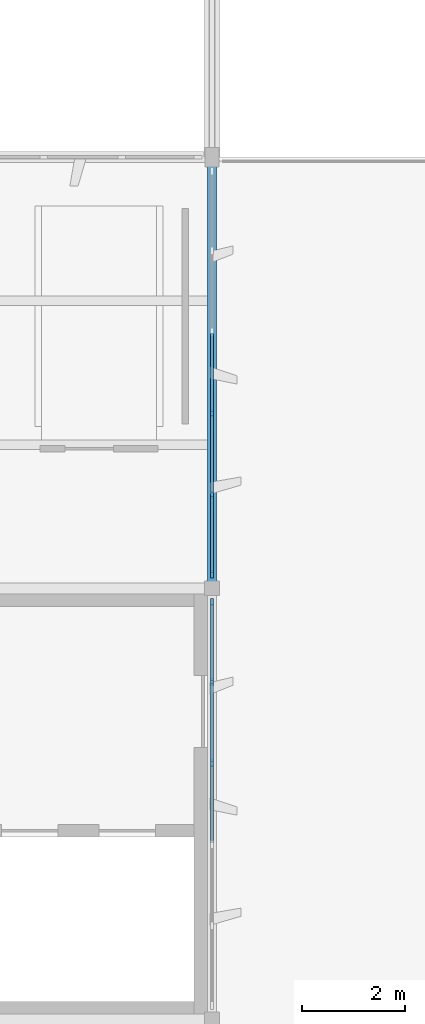
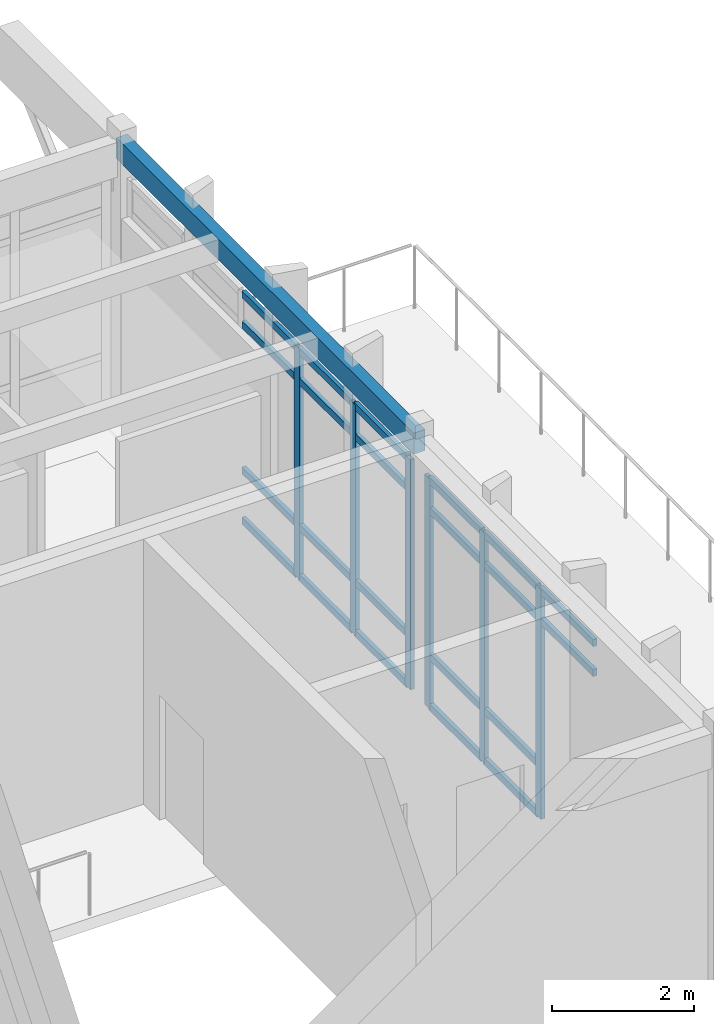
# One storey, part 7 of 19: 28 members, 1 beam, 2 elements without a shape of their own.
"""IFC4 building model written with IfcOpenShell, lengths in metres."""

import ifcopenshell
import ifcopenshell.guid

model = None  # the IFC model being written
_history = None  # IfcOwnerHistory: only IFC2X3 demands one
_inside = {}  # id of a spatial element -> (the spatial element, [elements in it])
_under = {}  # id of a project, library or spatial element -> (it, [spatial elements below it])
_declared = {}  # id of a project -> (the project, [libraries it declares])
_typed = {}  # id of a type object -> (the type object, [elements of that type])
_made_of = {}  # id of a material, layer set ... -> (it, [elements and type objects made of it])


def new_model(schema):
    """Start an empty IFC model of exactly this schema.

    Asked for "IFC4X3", IfcOpenShell would pick the latest addendum, in which some entities
    have other attributes; the version numbers below select the first issue.
    IFC2X3 requires an IfcOwnerHistory on every rooted entity: one is made here for all.
    """
    global model, _history
    if schema == "IFC4X3":
        model = ifcopenshell.file(schema_version=(4, 3, 0, 0))
    else:
        model = ifcopenshell.file(schema=schema)
    _inside.clear()
    _under.clear()
    _declared.clear()
    _typed.clear()
    _made_of.clear()
    _history = None
    if model.schema == "IFC2X3":
        org = make("IfcOrganization", Name="unknown")
        user = make(
            "IfcPersonAndOrganization",
            ThePerson=make("IfcPerson", FamilyName="unknown"),
            TheOrganization=org,
        )
        app = make(
            "IfcApplication",
            ApplicationDeveloper=org,
            Version="unknown",
            ApplicationFullName="unknown",
            ApplicationIdentifier="unknown",
        )
        _history = make(
            "IfcOwnerHistory",
            OwningUser=user,
            OwningApplication=app,
            ChangeAction="ADDED",
            CreationDate=0,
        )
    return model


def make(cls, **values):
    """One entity of the class cls with the attributes given. An attribute that is None is left unset."""
    return model.create_entity(
        cls, **{name: value for name, value in values.items() if value is not None}
    )


def rooted(cls, **values):
    """An entity with a GlobalId (a new one), such as an element, a storey or a relation."""
    return make(cls, GlobalId=ifcopenshell.guid.new(), OwnerHistory=_history, **values)


def si_unit(unit_type, name, prefix=None):
    """IfcSIUnit, for example si_unit("LENGTHUNIT", "METRE", prefix="MILLI")."""
    return make("IfcSIUnit", UnitType=unit_type, Prefix=prefix, Name=name)


def assignment(units):
    """IfcUnitAssignment: the units of a project."""
    return None if units is None else make("IfcUnitAssignment", Units=units)


def point(xyz):
    """IfcCartesianPoint."""
    return None if xyz is None else make("IfcCartesianPoint", Coordinates=xyz)


def direction(xyz):
    """IfcDirection."""
    return None if xyz is None else make("IfcDirection", DirectionRatios=xyz)


def frame(location, z_axis=None, x_axis=None):
    """IfcAxis2Placement3D, a coordinate frame: its origin and axes. An axis left out is left unset."""
    return make(
        "IfcAxis2Placement3D",
        Location=point(location),
        Axis=direction(z_axis),
        RefDirection=direction(x_axis),
    )


def frame_2d(location, x_axis=None):
    """IfcAxis2Placement2D, a coordinate frame in the plane: its origin and x axis."""
    return make(
        "IfcAxis2Placement2D", Location=point(location), RefDirection=direction(x_axis)
    )


def origin():
    """The frame at (0, 0, 0) with its axes left unset."""
    return frame((0.0, 0.0, 0.0))


def origin_2d():
    """The frame at (0, 0) in the plane with its x axis left unset."""
    return frame_2d((0.0, 0.0))


def place(relative_to, where):
    """IfcLocalPlacement: puts the frame where relative to a parent placement (None: the world)."""
    return make(
        "IfcLocalPlacement", PlacementRelTo=relative_to, RelativePlacement=where
    )


def context(
    kind, dimensions, precision=None, world=None, true_north=None, identifier=None
):
    """IfcGeometricRepresentationContext, for example the 3D "Model" context."""
    return make(
        "IfcGeometricRepresentationContext",
        ContextIdentifier=identifier,
        ContextType=kind,
        CoordinateSpaceDimension=dimensions,
        Precision=precision,
        WorldCoordinateSystem=world,
        TrueNorth=true_north,
    )


def subcontext(parent, identifier, kind, view, scale=None):
    """IfcGeometricRepresentationSubContext, for example "Body" below "Model"."""
    return make(
        "IfcGeometricRepresentationSubContext",
        ContextIdentifier=identifier,
        ContextType=kind,
        ParentContext=parent,
        TargetScale=scale,
        TargetView=view,
    )


def project(units=None, contexts=None):
    """IfcProject with its units and contexts."""
    return rooted(
        "IfcProject",
        Name="project",
        RepresentationContexts=contexts,
        UnitsInContext=assignment(units),
    )


def spatial(cls, under=None, at=None, **own):
    """A site, building, storey or space (cls), placed at a placement, below another one or the project."""
    s = rooted(cls, ObjectPlacement=at, **own)
    if under is not None:
        _under.setdefault(under.id(), (under, []))[1].append(s)
    return s


def profile(cls, at=None, kind="AREA", **sizes):
    """A parametric profile (cls). Its sizes go by their IFC names, for example OverallWidth=200.0."""
    return make(cls, ProfileType=kind, Position=at, **sizes)


def rectangle(**sizes):
    """IfcRectangleProfileDef."""
    return profile("IfcRectangleProfileDef", **sizes)


def extrude(swept, where, along, depth):
    """IfcExtrudedAreaSolid: the profile swept, set in the frame where, extruded along a direction by depth."""
    return make(
        "IfcExtrudedAreaSolid",
        SweptArea=swept,
        Position=where,
        ExtrudedDirection=direction(along),
        Depth=depth,
    )


def shape(context_of_items, identifier, shape_type, items):
    """IfcShapeRepresentation: the items that make up one representation, for example the "Body"."""
    return make(
        "IfcShapeRepresentation",
        ContextOfItems=context_of_items,
        RepresentationIdentifier=identifier,
        RepresentationType=shape_type,
        Items=items,
    )


def material(Name=None, Category=None):
    """IfcMaterial."""
    return make("IfcMaterial", Name=Name, Category=Category)


def layer(
    of_material, thickness, ventilated=None, Name=None, Category=None, Priority=None
):
    """IfcMaterialLayer: one layer of a wall or slab, of a material (None: an air gap)."""
    return make(
        "IfcMaterialLayer",
        Material=of_material,
        LayerThickness=thickness,
        IsVentilated=ventilated,
        Name=Name,
        Category=Category,
        Priority=Priority,
    )


def layer_set(layers, Name=None):
    """IfcMaterialLayerSet."""
    return make("IfcMaterialLayerSet", MaterialLayers=layers, LayerSetName=Name)


def material_profile(
    of_material, cross_section, Name=None, Category=None, Priority=None
):
    """IfcMaterialProfile: a cross section and its material."""
    return make(
        "IfcMaterialProfile",
        Name=Name,
        Material=of_material,
        Profile=cross_section,
        Priority=Priority,
        Category=Category,
    )


def profile_set(profiles, Name=None, composite=None):
    """IfcMaterialProfileSet."""
    return make(
        "IfcMaterialProfileSet",
        Name=Name,
        MaterialProfiles=profiles,
        CompositeProfile=composite,
    )


def made_of(thing, what):
    """Note that an element or type object is made of a material, layer set ...; save() writes the relation."""
    if what is not None:
        _made_of.setdefault(what.id(), (what, []))[1].append(thing)
    return thing


def type_object(cls, material=None, **own):
    """A type object (cls), such as IfcWallType, which elements share."""
    return made_of(rooted(cls, **own), material)


def element(
    cls,
    number,
    at=None,
    inside=None,
    cuts=None,
    type_object=None,
    material=None,
    context=None,
    identifier="Body",
    shape_type=None,
    held_by="IfcProductDefinitionShape",
    body=None,
    shapes=None,
    **own,
):
    """One element of the class cls, such as IfcWall. Its Tag is "e" and its number.

    at: its placement. inside: the storey or other place that contains it. cuts: it is an
    opening in that element (IfcRelVoidsElement). A single representation is given by context,
    identifier, shape_type and body (its items); several are given by shapes. held_by: the class
    of the entity that holds the representations. save() writes the other relations.
    """
    e = rooted(cls, Tag="e%d" % number, ObjectPlacement=at, **own)
    if body is not None:
        shapes = [shape(context, identifier, shape_type, body)]
    if shapes is not None:
        e.Representation = make(held_by, Representations=shapes)
    if inside is not None:
        _inside.setdefault(inside.id(), (inside, []))[1].append(e)
    if cuts is not None:
        rooted(
            "IfcRelVoidsElement", RelatingBuildingElement=cuts, RelatedOpeningElement=e
        )
    if type_object is not None:
        _typed.setdefault(type_object.id(), (type_object, []))[1].append(e)
    return made_of(e, material)


def aggregate(whole, parts):
    """IfcRelAggregates: a whole, such as a stair, and the parts it consists of."""
    return rooted("IfcRelAggregates", RelatingObject=whole, RelatedObjects=parts)


def save(model, path):
    """Write the relations noted so far, then the file.

    IfcRelAggregates (storeys below a building ...), IfcRelContainedInSpatialStructure (elements
    in a storey), IfcRelDefinesByType, IfcRelAssociatesMaterial and IfcRelDeclares: one each for
    every whole, place, type object, material and project.
    """
    for whole, parts in _under.values():
        aggregate(whole, parts)
    for where, things in _inside.values():
        rooted(
            "IfcRelContainedInSpatialStructure",
            RelatedElements=things,
            RelatingStructure=where,
        )
    for kind, things in _typed.values():
        rooted("IfcRelDefinesByType", RelatedObjects=things, RelatingType=kind)
    for what, things in _made_of.values():
        rooted("IfcRelAssociatesMaterial", RelatedObjects=things, RelatingMaterial=what)
    for by, libraries in _declared.values():
        rooted("IfcRelDeclares", RelatingContext=by, RelatedDefinitions=libraries)
    model.write(path)


model = new_model("IFC4")

# Units and contexts
model_context = context("Model", 3, precision=1e-05, world=origin(), true_north=direction((0.0, 1.0)))
body_context = subcontext(model_context, "Body", "Model", "MODEL_VIEW")
ifc_project = project(units=[si_unit("LENGTHUNIT", "METRE"), si_unit("AREAUNIT", "SQUARE_METRE"), si_unit("VOLUMEUNIT", "CUBIC_METRE"), si_unit("PLANEANGLEUNIT", "RADIAN"), si_unit("MASSUNIT", "GRAM", prefix="KILO")], contexts=[model_context])

# Site, building, storey
site_placement = place(None, origin())
site = spatial("IfcSite", under=ifc_project, at=site_placement, CompositionType="ELEMENT")
building_placement = place(site_placement, origin())
building = spatial("IfcBuilding", under=site, at=building_placement, Name="Kolvemor Railside Polytechnic", CompositionType="ELEMENT")
storey_placement = place(building_placement, frame((0.0, 0.0, 27.0)))
storey = spatial("IfcBuildingStorey", under=building, at=storey_placement, Name="L06", CompositionType="ELEMENT", Elevation=27.0)

# Beam
ifc_material_1 = material(Name="Glulam GL28h", Category="wood")
ifc_material_profile_1 = material_profile(ifc_material_1, rectangle(XDim=0.18505859375, YDim=0.360107421875, at=origin_2d()), Name="GL185x360")
ifc_profile_set_1 = profile_set([ifc_material_profile_1], Name="Glulam GL28h")
beam_type = type_object("IfcBeamType", Name="BM-GL-TRIM", PredefinedType="LINTEL", material=ifc_profile_set_1)
beam_placement = place(storey_placement, frame((115.199951171875, 30.0, 4.385009765625), z_axis=(0.0, 1.0, 0.0), x_axis=(-1.0, 0.0, 0.0)))
element("IfcBeam", 1, at=beam_placement, inside=storey, type_object=beam_type, Name="Primary Girder RF-GY 1797", PredefinedType="LINTEL", context=body_context, shape_type="SweptSolid", body=[
    extrude(rectangle(XDim=0.18505859375, YDim=0.360107421875, at=origin_2d()), origin(), (0.0, 0.0, 1.0), 8.39990234375),
])

# Curtain wall, members
ifc_material_2 = material(Name="Anodised marine aluminium and laminated low-E glass", Category="aluminium")
ifc_layer = layer(ifc_material_2, 0.179931640625, Name="CW-STICK-LIB")
ifc_layer_set = layer_set([ifc_layer], Name="Anodised marine aluminium and laminated low-E glass")
curtain_wall_type = type_object("IfcCurtainWallType", Name="CW-STICK-LIB", PredefinedType="USERDEFINED", material=ifc_layer_set)
curtain_wall_1_placement = place(storey_placement, origin())
curtain_wall_1 = element("IfcCurtainWall", 2, at=curtain_wall_1_placement, inside=storey, type_object=curtain_wall_type, Name="Curtain Wall L06-150", ObjectType="STICK GLAZED SCREEN", PredefinedType="USERDEFINED")
ifc_material_3 = material(Name="Anodised marine aluminium 6063-T6", Category="aluminium")
ifc_material_profile_2 = material_profile(ifc_material_3, rectangle(XDim=0.06494140625, YDim=0.14990234375, at=origin_2d()), Name="CW-MUL-65x150")
ifc_profile_set_2 = profile_set([ifc_material_profile_2], Name="Anodised marine aluminium 6063-T6")
member_type_1 = type_object("IfcMemberType", Name="CWM-65x150", PredefinedType="MULLION", material=ifc_profile_set_2)
member_1_placement = place(storey_placement, frame((115.199951171875, 26.592041015625, 0.0), z_axis=(0.0, 0.0, 1.0), x_axis=(-1.0, 0.0, 0.0)))
member_1 = element("IfcMember", 3, at=member_1_placement, type_object=member_type_1, Name="CW-LIB mullion 4", PredefinedType="MULLION", context=body_context, shape_type="SweptSolid", body=[
    extrude(rectangle(XDim=0.06494140625, YDim=0.14990234375, at=origin_2d()), origin(), (0.0, 0.0, 1.0), 3.965087890625),
])
member_2_placement = place(storey_placement, frame((115.199951171875, 28.176025390625, 0.0), z_axis=(0.0, 0.0, 1.0), x_axis=(-1.0, 0.0, 0.0)))
member_2 = element("IfcMember", 4, at=member_2_placement, type_object=member_type_1, Name="CW-LIB mullion 5", PredefinedType="MULLION", context=body_context, shape_type="SweptSolid", body=[
    extrude(rectangle(XDim=0.06494140625, YDim=0.14990234375, at=origin_2d()), origin(), (0.0, 0.0, 1.0), 3.965087890625),
])
member_3_placement = place(storey_placement, frame((115.199951171875, 29.7275390625, 0.0), z_axis=(0.0, 0.0, 1.0), x_axis=(-1.0, 0.0, 0.0)))
member_3 = element("IfcMember", 5, at=member_3_placement, type_object=member_type_1, Name="CW-LIB mullion 6", PredefinedType="MULLION", context=body_context, shape_type="SweptSolid", body=[
    extrude(rectangle(XDim=0.06494140625, YDim=0.14990234375, at=origin_2d()), origin(), (0.0, 0.0, 1.0), 3.965087890625),
])

curtain_wall_2_placement = place(storey_placement, origin())
curtain_wall_2 = element("IfcCurtainWall", 6, at=curtain_wall_2_placement, inside=storey, type_object=curtain_wall_type, Name="Curtain Wall L06-152", ObjectType="STICK GLAZED SCREEN", PredefinedType="USERDEFINED")
member_4_placement = place(storey_placement, frame((115.199951171875, 30.2724609375, 0.0), z_axis=(0.0, 0.0, 1.0), x_axis=(-1.0, 0.0, 0.0)))
member_4 = element("IfcMember", 7, at=member_4_placement, type_object=member_type_1, Name="CW-LIB mullion 1", PredefinedType="MULLION", context=body_context, shape_type="SweptSolid", body=[
    extrude(rectangle(XDim=0.06494140625, YDim=0.14990234375, at=origin_2d()), origin(), (0.0, 0.0, 1.0), 3.965087890625),
])
member_5_placement = place(storey_placement, frame((115.199951171875, 31.823974609375, 0.0), z_axis=(0.0, 0.0, 1.0), x_axis=(-1.0, 0.0, 0.0)))
member_5 = element("IfcMember", 8, at=member_5_placement, type_object=member_type_1, Name="CW-LIB mullion 2", PredefinedType="MULLION", context=body_context, shape_type="SweptSolid", body=[
    extrude(rectangle(XDim=0.06494140625, YDim=0.14990234375, at=origin_2d()), origin(), (0.0, 0.0, 1.0), 3.965087890625),
])
member_6_placement = place(storey_placement, frame((115.199951171875, 33.407958984375, 0.0), z_axis=(0.0, 0.0, 1.0), x_axis=(-1.0, 0.0, 0.0)))
member_6 = element("IfcMember", 9, at=member_6_placement, type_object=member_type_1, Name="CW-LIB mullion 3", PredefinedType="MULLION", context=body_context, shape_type="SweptSolid", body=[
    extrude(rectangle(XDim=0.06494140625, YDim=0.14990234375, at=origin_2d()), origin(), (0.0, 0.0, 1.0), 3.965087890625),
])

# Member
ifc_material_4 = material(Name="Anodised marine aluminium 6063-T6", Category="aluminium")
ifc_material_profile_3 = material_profile(ifc_material_4, rectangle(XDim=0.06494140625, YDim=0.1201171875, at=origin_2d()), Name="CW-TRN-65x120")
ifc_profile_set_3 = profile_set([ifc_material_profile_3], Name="Anodised marine aluminium 6063-T6")
member_type_2 = type_object("IfcMemberType", Name="CWT-65x120", PredefinedType="USERDEFINED", material=ifc_profile_set_3)
member_7_placement = place(storey_placement, frame((115.199951171875, 25.04052734375, 3.4150390625), z_axis=(0.0, 1.0, 0.0), x_axis=(-1.0, 0.0, 0.0)))
member_7 = element("IfcMember", 10, at=member_7_placement, type_object=member_type_2, Name="CW-LIB transom 3.3", ObjectType="TRANSOM", PredefinedType="USERDEFINED", context=body_context, shape_type="SweptSolid", body=[
    extrude(rectangle(XDim=0.06494140625, YDim=0.1201171875, at=origin_2d()), origin(), (0.0, 0.0, 1.0), 1.51904296875),
])

member_8_placement = place(storey_placement, frame((115.199951171875, 25.04052734375, 3.9326171875), z_axis=(0.0, 1.0, 0.0), x_axis=(-1.0, 0.0, 0.0)))
member_8 = element("IfcMember", 11, at=member_8_placement, type_object=member_type_2, Name="CW-LIB transom 3.4", ObjectType="TRANSOM", PredefinedType="USERDEFINED", context=body_context, shape_type="SweptSolid", body=[
    extrude(rectangle(XDim=0.06494140625, YDim=0.1201171875, at=origin_2d()), origin(), (0.0, 0.0, 1.0), 1.51904296875),
])

member_9_placement = place(storey_placement, frame((115.199951171875, 26.62451171875, 0.032470703125), z_axis=(0.0, 1.0, 0.0), x_axis=(-1.0, 0.0, 0.0)))
member_9 = element("IfcMember", 12, at=member_9_placement, type_object=member_type_2, Name="CW-LIB transom 4.1", ObjectType="TRANSOM", PredefinedType="USERDEFINED", context=body_context, shape_type="SweptSolid", body=[
    extrude(rectangle(XDim=0.06494140625, YDim=0.1201171875, at=origin_2d()), origin(), (0.0, 0.0, 1.0), 1.51904296875),
])

member_10_placement = place(storey_placement, frame((115.199951171875, 26.62451171875, 0.89990234375), z_axis=(0.0, 1.0, 0.0), x_axis=(-1.0, 0.0, 0.0)))
member_10 = element("IfcMember", 13, at=member_10_placement, type_object=member_type_2, Name="CW-LIB transom 4.2", ObjectType="TRANSOM", PredefinedType="USERDEFINED", context=body_context, shape_type="SweptSolid", body=[
    extrude(rectangle(XDim=0.06494140625, YDim=0.1201171875, at=origin_2d()), origin(), (0.0, 0.0, 1.0), 1.51904296875),
])

member_11_placement = place(storey_placement, frame((115.199951171875, 26.62451171875, 3.4150390625), z_axis=(0.0, 1.0, 0.0), x_axis=(-1.0, 0.0, 0.0)))
member_11 = element("IfcMember", 14, at=member_11_placement, type_object=member_type_2, Name="CW-LIB transom 4.3", ObjectType="TRANSOM", PredefinedType="USERDEFINED", context=body_context, shape_type="SweptSolid", body=[
    extrude(rectangle(XDim=0.06494140625, YDim=0.1201171875, at=origin_2d()), origin(), (0.0, 0.0, 1.0), 1.51904296875),
])

member_12_placement = place(storey_placement, frame((115.199951171875, 26.62451171875, 3.9326171875), z_axis=(0.0, 1.0, 0.0), x_axis=(-1.0, 0.0, 0.0)))
member_12 = element("IfcMember", 15, at=member_12_placement, type_object=member_type_2, Name="CW-LIB transom 4.4", ObjectType="TRANSOM", PredefinedType="USERDEFINED", context=body_context, shape_type="SweptSolid", body=[
    extrude(rectangle(XDim=0.06494140625, YDim=0.1201171875, at=origin_2d()), origin(), (0.0, 0.0, 1.0), 1.51904296875),
])

member_13_placement = place(storey_placement, frame((115.199951171875, 28.20849609375, 0.032470703125), z_axis=(0.0, 1.0, 0.0), x_axis=(-1.0, 0.0, 0.0)))
member_13 = element("IfcMember", 16, at=member_13_placement, type_object=member_type_2, Name="CW-LIB transom 5.1", ObjectType="TRANSOM", PredefinedType="USERDEFINED", context=body_context, shape_type="SweptSolid", body=[
    extrude(rectangle(XDim=0.06494140625, YDim=0.1201171875, at=origin_2d()), origin(), (0.0, 0.0, 1.0), 1.486572265625),
])

member_14_placement = place(storey_placement, frame((115.199951171875, 28.20849609375, 0.89990234375), z_axis=(0.0, 1.0, 0.0), x_axis=(-1.0, 0.0, 0.0)))
member_14 = element("IfcMember", 17, at=member_14_placement, type_object=member_type_2, Name="CW-LIB transom 5.2", ObjectType="TRANSOM", PredefinedType="USERDEFINED", context=body_context, shape_type="SweptSolid", body=[
    extrude(rectangle(XDim=0.06494140625, YDim=0.1201171875, at=origin_2d()), origin(), (0.0, 0.0, 1.0), 1.486572265625),
])

member_15_placement = place(storey_placement, frame((115.199951171875, 28.20849609375, 3.4150390625), z_axis=(0.0, 1.0, 0.0), x_axis=(-1.0, 0.0, 0.0)))
member_15 = element("IfcMember", 18, at=member_15_placement, type_object=member_type_2, Name="CW-LIB transom 5.3", ObjectType="TRANSOM", PredefinedType="USERDEFINED", context=body_context, shape_type="SweptSolid", body=[
    extrude(rectangle(XDim=0.06494140625, YDim=0.1201171875, at=origin_2d()), origin(), (0.0, 0.0, 1.0), 1.486572265625),
])

member_16_placement = place(storey_placement, frame((115.199951171875, 28.20849609375, 3.9326171875), z_axis=(0.0, 1.0, 0.0), x_axis=(-1.0, 0.0, 0.0)))
member_16 = element("IfcMember", 19, at=member_16_placement, type_object=member_type_2, Name="CW-LIB transom 5.4", ObjectType="TRANSOM", PredefinedType="USERDEFINED", context=body_context, shape_type="SweptSolid", body=[
    extrude(rectangle(XDim=0.06494140625, YDim=0.1201171875, at=origin_2d()), origin(), (0.0, 0.0, 1.0), 1.486572265625),
])

aggregate(curtain_wall_1, [member_1, member_2, member_3, member_7, member_8, member_9, member_10, member_11, member_12, member_13, member_14, member_15, member_16])

member_17_placement = place(storey_placement, frame((115.199951171875, 30.304931640625, 0.032470703125), z_axis=(0.0, 1.0, 0.0), x_axis=(-1.0, 0.0, 0.0)))
member_17 = element("IfcMember", 20, at=member_17_placement, type_object=member_type_2, Name="CW-LIB transom 1.1", ObjectType="TRANSOM", PredefinedType="USERDEFINED", context=body_context, shape_type="SweptSolid", body=[
    extrude(rectangle(XDim=0.06494140625, YDim=0.1201171875, at=origin_2d()), origin(), (0.0, 0.0, 1.0), 1.486572265625),
])

member_18_placement = place(storey_placement, frame((115.199951171875, 30.304931640625, 0.89990234375), z_axis=(0.0, 1.0, 0.0), x_axis=(-1.0, 0.0, 0.0)))
member_18 = element("IfcMember", 21, at=member_18_placement, type_object=member_type_2, Name="CW-LIB transom 1.2", ObjectType="TRANSOM", PredefinedType="USERDEFINED", context=body_context, shape_type="SweptSolid", body=[
    extrude(rectangle(XDim=0.06494140625, YDim=0.1201171875, at=origin_2d()), origin(), (0.0, 0.0, 1.0), 1.486572265625),
])

member_19_placement = place(storey_placement, frame((115.199951171875, 30.304931640625, 3.4150390625), z_axis=(0.0, 1.0, 0.0), x_axis=(-1.0, 0.0, 0.0)))
member_19 = element("IfcMember", 22, at=member_19_placement, type_object=member_type_2, Name="CW-LIB transom 1.3", ObjectType="TRANSOM", PredefinedType="USERDEFINED", context=body_context, shape_type="SweptSolid", body=[
    extrude(rectangle(XDim=0.06494140625, YDim=0.1201171875, at=origin_2d()), origin(), (0.0, 0.0, 1.0), 1.486572265625),
])

member_20_placement = place(storey_placement, frame((115.199951171875, 30.304931640625, 3.9326171875), z_axis=(0.0, 1.0, 0.0), x_axis=(-1.0, 0.0, 0.0)))
member_20 = element("IfcMember", 23, at=member_20_placement, type_object=member_type_2, Name="CW-LIB transom 1.4", ObjectType="TRANSOM", PredefinedType="USERDEFINED", context=body_context, shape_type="SweptSolid", body=[
    extrude(rectangle(XDim=0.06494140625, YDim=0.1201171875, at=origin_2d()), origin(), (0.0, 0.0, 1.0), 1.486572265625),
])

member_21_placement = place(storey_placement, frame((115.199951171875, 31.8564453125, 0.032470703125), z_axis=(0.0, 1.0, 0.0), x_axis=(-1.0, 0.0, 0.0)))
member_21 = element("IfcMember", 24, at=member_21_placement, type_object=member_type_2, Name="CW-LIB transom 2.1", ObjectType="TRANSOM", PredefinedType="USERDEFINED", context=body_context, shape_type="SweptSolid", body=[
    extrude(rectangle(XDim=0.06494140625, YDim=0.1201171875, at=origin_2d()), origin(), (0.0, 0.0, 1.0), 1.51904296875),
])

member_22_placement = place(storey_placement, frame((115.199951171875, 31.8564453125, 0.89990234375), z_axis=(0.0, 1.0, 0.0), x_axis=(-1.0, 0.0, 0.0)))
member_22 = element("IfcMember", 25, at=member_22_placement, type_object=member_type_2, Name="CW-LIB transom 2.2", ObjectType="TRANSOM", PredefinedType="USERDEFINED", context=body_context, shape_type="SweptSolid", body=[
    extrude(rectangle(XDim=0.06494140625, YDim=0.1201171875, at=origin_2d()), origin(), (0.0, 0.0, 1.0), 1.51904296875),
])

member_23_placement = place(storey_placement, frame((115.199951171875, 31.8564453125, 3.4150390625), z_axis=(0.0, 1.0, 0.0), x_axis=(-1.0, 0.0, 0.0)))
member_23 = element("IfcMember", 26, at=member_23_placement, type_object=member_type_2, Name="CW-LIB transom 2.3", ObjectType="TRANSOM", PredefinedType="USERDEFINED", context=body_context, shape_type="SweptSolid", body=[
    extrude(rectangle(XDim=0.06494140625, YDim=0.1201171875, at=origin_2d()), origin(), (0.0, 0.0, 1.0), 1.51904296875),
])

member_24_placement = place(storey_placement, frame((115.199951171875, 31.8564453125, 3.9326171875), z_axis=(0.0, 1.0, 0.0), x_axis=(-1.0, 0.0, 0.0)))
member_24 = element("IfcMember", 27, at=member_24_placement, type_object=member_type_2, Name="CW-LIB transom 2.4", ObjectType="TRANSOM", PredefinedType="USERDEFINED", context=body_context, shape_type="SweptSolid", body=[
    extrude(rectangle(XDim=0.06494140625, YDim=0.1201171875, at=origin_2d()), origin(), (0.0, 0.0, 1.0), 1.51904296875),
])

member_25_placement = place(storey_placement, frame((115.199951171875, 33.4404296875, 0.032470703125), z_axis=(0.0, 1.0, 0.0), x_axis=(-1.0, 0.0, 0.0)))
member_25 = element("IfcMember", 28, at=member_25_placement, type_object=member_type_2, Name="CW-LIB transom 3.1", ObjectType="TRANSOM", PredefinedType="USERDEFINED", context=body_context, shape_type="SweptSolid", body=[
    extrude(rectangle(XDim=0.06494140625, YDim=0.1201171875, at=origin_2d()), origin(), (0.0, 0.0, 1.0), 1.51904296875),
])

member_26_placement = place(storey_placement, frame((115.199951171875, 33.4404296875, 0.89990234375), z_axis=(0.0, 1.0, 0.0), x_axis=(-1.0, 0.0, 0.0)))
member_26 = element("IfcMember", 29, at=member_26_placement, type_object=member_type_2, Name="CW-LIB transom 3.2", ObjectType="TRANSOM", PredefinedType="USERDEFINED", context=body_context, shape_type="SweptSolid", body=[
    extrude(rectangle(XDim=0.06494140625, YDim=0.1201171875, at=origin_2d()), origin(), (0.0, 0.0, 1.0), 1.51904296875),
])

member_27_placement = place(storey_placement, frame((115.199951171875, 33.4404296875, 3.4150390625), z_axis=(0.0, 1.0, 0.0), x_axis=(-1.0, 0.0, 0.0)))
member_27 = element("IfcMember", 30, at=member_27_placement, type_object=member_type_2, Name="CW-LIB transom 3.3", ObjectType="TRANSOM", PredefinedType="USERDEFINED", context=body_context, shape_type="SweptSolid", body=[
    extrude(rectangle(XDim=0.06494140625, YDim=0.1201171875, at=origin_2d()), origin(), (0.0, 0.0, 1.0), 1.51904296875),
])

member_28_placement = place(storey_placement, frame((115.199951171875, 33.4404296875, 3.9326171875), z_axis=(0.0, 1.0, 0.0), x_axis=(-1.0, 0.0, 0.0)))
member_28 = element("IfcMember", 31, at=member_28_placement, type_object=member_type_2, Name="CW-LIB transom 3.4", ObjectType="TRANSOM", PredefinedType="USERDEFINED", context=body_context, shape_type="SweptSolid", body=[
    extrude(rectangle(XDim=0.06494140625, YDim=0.1201171875, at=origin_2d()), origin(), (0.0, 0.0, 1.0), 1.51904296875),
])

aggregate(curtain_wall_2, [member_4, member_5, member_6, member_17, member_18, member_19, member_20, member_21, member_22, member_23, member_24, member_25, member_26, member_27, member_28])

save(model, "model.ifc")
